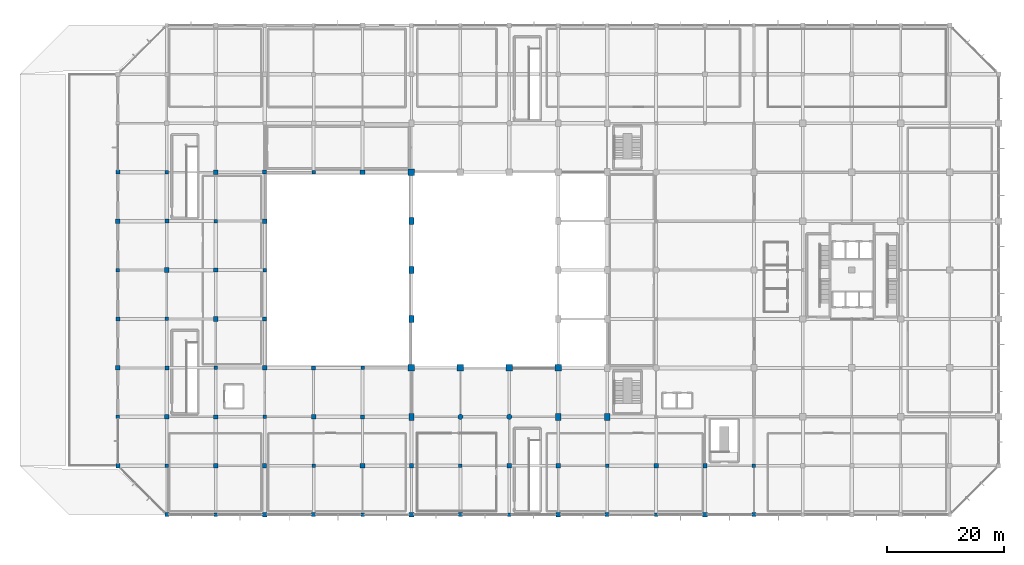
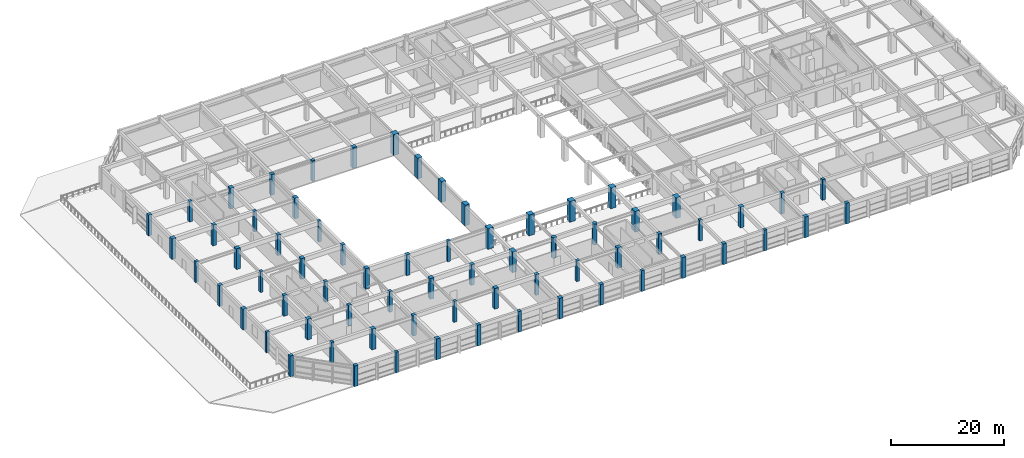
# One storey, part 1 of 56: 70 columns.
"""IFC4 building model written with IfcOpenShell, lengths in metres."""

from ifc_helpers import new_model, si_unit, direction, frame, origin, origin_2d, place, context, subcontext, project, spatial, rectangle, circle, extrude, material, material_profile, profile_set, type_object, element, save


model = new_model("IFC4")

# Units and contexts
model_context = context("Model", 3, precision=1e-05, world=origin(), true_north=direction((0.0, 1.0)))
body_context = subcontext(model_context, "Body", "Model", "MODEL_VIEW")
ifc_project = project(units=[si_unit("LENGTHUNIT", "METRE"), si_unit("AREAUNIT", "SQUARE_METRE"), si_unit("VOLUMEUNIT", "CUBIC_METRE"), si_unit("PLANEANGLEUNIT", "RADIAN"), si_unit("MASSUNIT", "GRAM", prefix="KILO")], contexts=[model_context])

# Site, building, storey
site_placement = place(None, origin())
site = spatial("IfcSite", under=ifc_project, at=site_placement, CompositionType="ELEMENT")
building_placement = place(site_placement, origin())
building = spatial("IfcBuilding", under=site, at=building_placement, Name="Xuanlan Plaza Opera House", CompositionType="ELEMENT")
storey_placement = place(building_placement, frame((0.0, 0.0, 18.89990234375)))
storey = spatial("IfcBuildingStorey", under=building, at=storey_placement, Name="L04", CompositionType="ELEMENT", Elevation=18.89990234375)

# Columns
ifc_material_1 = material(Name="Concrete C50", Category="concrete")
ifc_material_profile_1 = material_profile(ifc_material_1, rectangle(XDim=1.10009765625, YDim=1.10009765625, at=origin_2d()), Name="RC-COL 1100x1100")
ifc_profile_set_1 = profile_set([ifc_material_profile_1], Name="Concrete C50")
column_type_1 = type_object("IfcColumnType", Name="STR-COL-C-03", PredefinedType="COLUMN", material=ifc_profile_set_1)
for number, where, z_axis, x_axis, name in (
    (1, (67.199951171875, 42.0, 0.0), (0.0, 0.0, 1.0), (1.0, 0.0, 0.0), "Column L04 9-F"),
    (2, (67.199951171875, 75.60009765625, 0.0), (0.0, 0.0, 1.0), (1.0, 0.0, 0.0), "Column L04 9-J"),
    (3, (75.60009765625, 42.0, 0.0), (0.0, 0.0, 1.0), (1.0, 0.0, 0.0), "Column L04 10-F"),
    (4, (84.0, 42.0, 0.0), (0.0, 0.0, 1.0), (1.0, 0.0, 0.0), "Column L04 11-F"),
    (5, (92.39990234375, 42.0, 0.0), (0.0, 0.0, 1.0), (1.0, 0.0, 0.0), "Column L04 12-F"),
):
    element("IfcColumn", number, at=place(storey_placement, frame(where, z_axis=z_axis, x_axis=x_axis)), inside=storey, type_object=column_type_1, Name=name, PredefinedType="COLUMN", context=body_context, shape_type="SweptSolid", body=[
        extrude(rectangle(XDim=1.10009765625, YDim=1.10009765625, at=origin_2d()), origin(), (0.0, 0.0, 1.0), 4.5),
    ])
ifc_material_2 = material(Name="Concrete C40", Category="concrete")
ifc_material_profile_2 = material_profile(ifc_material_2, rectangle(XDim=0.800048828125, YDim=0.800048828125, at=origin_2d()), Name="RC-COL 800x800")
ifc_profile_set_2 = profile_set([ifc_material_profile_2], Name="Concrete C40")
column_type_2 = type_object("IfcColumnType", Name="STR-COL-C-06", PredefinedType="COLUMN", material=ifc_profile_set_2)
for number, where, z_axis, x_axis, name in (
    (6, (16.800048828125, 42.0, 0.0), (0.0, 0.0, 1.0), (1.0, 0.0, 0.0), "Column L04 3-F"),
    (7, (16.800048828125, 67.199951171875, 0.0), (0.0, 0.0, 1.0), (1.0, 0.0, 0.0), "Column L04 3-I"),
    (8, (25.199951171875, 33.60009765625, 0.0), (0.0, 0.0, 1.0), (1.0, 0.0, 0.0), "Column L04 4-E"),
    (9, (25.199951171875, 58.800048828125, 0.0), (0.0, 0.0, 1.0), (1.0, 0.0, 0.0), "Column L04 4-H"),
    (10, (33.60009765625, 25.199951171875, 0.0), (0.0, 0.0, 1.0), (1.0, 0.0, 0.0), "Column L04 5-D"),
    (11, (33.60009765625, 50.39990234375, 0.0), (0.0, 0.0, 1.0), (1.0, 0.0, 0.0), "Column L04 5-G"),
    (12, (33.60009765625, 75.60009765625, 0.0), (0.0, 0.0, 1.0), (1.0, 0.0, 0.0), "Column L04 5-J"),
    (13, (42.0, 16.800048828125, 0.0), (0.0, 0.0, 1.0), (1.0, 0.0, 0.0), "Column L04 6-C"),
    (14, (42.0, 42.0, 0.0), (0.0, 0.0, 1.0), (1.0, 0.0, 0.0), "Column L04 6-F"),
    (15, (42.0, 67.199951171875, 0.0), (0.0, 0.0, 1.0), (1.0, 0.0, 0.0), "Column L04 6-I"),
    (16, (50.39990234375, 33.60009765625, 0.0), (0.0, 0.0, 1.0), (1.0, 0.0, 0.0), "Column L04 7-E"),
    (17, (58.800048828125, 25.199951171875, 0.0), (0.0, 0.0, 1.0), (1.0, 0.0, 0.0), "Column L04 8-D"),
    (18, (58.800048828125, 75.60009765625, 0.0), (0.0, 0.0, 1.0), (1.0, 0.0, 0.0), "Column L04 8-J"),
    (19, (67.199951171875, 16.800048828125, 0.0), (0.0, 0.0, 1.0), (1.0, 0.0, 0.0), "Column L04 9-C"),
    (20, (84.0, 25.199951171875, 0.0), (0.0, 0.0, 1.0), (1.0, 0.0, 0.0), "Column L04 11-D"),
    (21, (92.39990234375, 16.800048828125, 0.0), (0.0, 0.0, 1.0), (1.0, 0.0, 0.0), "Column L04 12-C"),
    (22, (109.199951171875, 25.199951171875, 0.0), (0.0, 0.0, 1.0), (1.0, 0.0, 0.0), "Column L04 14-D"),
    (23, (117.60009765625, 16.800048828125, 0.0), (0.0, 0.0, 1.0), (1.0, 0.0, 0.0), "Column L04 15-C"),
):
    element("IfcColumn", number, at=place(storey_placement, frame(where, z_axis=z_axis, x_axis=x_axis)), inside=storey, type_object=column_type_2, Name=name, PredefinedType="COLUMN", context=body_context, shape_type="SweptSolid", body=[
        extrude(rectangle(XDim=0.800048828125, YDim=0.800048828125, at=origin_2d()), origin(), (0.0, 0.0, 1.0), 4.5),
    ])
ifc_material_profile_3 = material_profile(ifc_material_2, rectangle(XDim=0.699951171875, YDim=0.699951171875, at=origin_2d()), Name="RC-COL 700x700")
ifc_profile_set_3 = profile_set([ifc_material_profile_3], Name="Concrete C40")
column_type_3 = type_object("IfcColumnType", Name="STR-COL-C-07", PredefinedType="COLUMN", material=ifc_profile_set_3)
for number, where, z_axis, x_axis, name in (
    (24, (16.800048828125, 25.199951171875, 0.0), (0.0, 0.0, 1.0), (1.0, 0.0, 0.0), "Column L04 3-D"),
    (25, (16.800048828125, 50.39990234375, 0.0), (0.0, 0.0, 1.0), (1.0, 0.0, 0.0), "Column L04 3-G"),
    (26, (16.800048828125, 75.60009765625, 0.0), (0.0, 0.0, 1.0), (1.0, 0.0, 0.0), "Column L04 3-J"),
    (27, (25.199951171875, 16.800048828125, 0.0), (0.0, 0.0, 1.0), (1.0, 0.0, 0.0), "Column L04 4-C"),
    (28, (25.199951171875, 42.0, 0.0), (0.0, 0.0, 1.0), (1.0, 0.0, 0.0), "Column L04 4-F"),
    (29, (25.199951171875, 67.199951171875, 0.0), (0.0, 0.0, 1.0), (1.0, 0.0, 0.0), "Column L04 4-I"),
    (30, (33.60009765625, 33.60009765625, 0.0), (0.0, 0.0, 1.0), (1.0, 0.0, 0.0), "Column L04 5-E"),
    (31, (33.60009765625, 58.800048828125, 0.0), (0.0, 0.0, 1.0), (1.0, 0.0, 0.0), "Column L04 5-H"),
    (32, (42.0, 25.199951171875, 0.0), (0.0, 0.0, 1.0), (1.0, 0.0, 0.0), "Column L04 6-D"),
    (33, (42.0, 50.39990234375, 0.0), (0.0, 0.0, 1.0), (1.0, 0.0, 0.0), "Column L04 6-G"),
    (34, (42.0, 75.60009765625, 0.0), (0.0, 0.0, 1.0), (1.0, 0.0, 0.0), "Column L04 6-J"),
    (35, (50.39990234375, 16.800048828125, 0.0), (0.0, 0.0, 1.0), (1.0, 0.0, 0.0), "Column L04 7-C"),
    (36, (50.39990234375, 42.0, 0.0), (0.0, 0.0, 1.0), (1.0, 0.0, 0.0), "Column L04 7-F"),
    (37, (58.800048828125, 33.60009765625, 0.0), (0.0, 0.0, 1.0), (1.0, 0.0, 0.0), "Column L04 8-E"),
    (38, (67.199951171875, 25.199951171875, 0.0), (0.0, 0.0, 1.0), (1.0, 0.0, 0.0), "Column L04 9-D"),
    (39, (75.60009765625, 16.800048828125, 0.0), (0.0, 0.0, 1.0), (1.0, 0.0, 0.0), "Column L04 10-C"),
    (40, (92.39990234375, 25.199951171875, 0.0), (0.0, 0.0, 1.0), (1.0, 0.0, 0.0), "Column L04 12-D"),
    (41, (100.800048828125, 16.800048828125, 0.0), (0.0, 0.0, 1.0), (1.0, 0.0, 0.0), "Column L04 13-C"),
    (42, (117.60009765625, 25.199951171875, 0.0), (0.0, 0.0, 1.0), (1.0, 0.0, 0.0), "Column L04 15-D"),
    (43, (126.0, 16.800048828125, 0.0), (0.0, 0.0, 1.0), (1.0, 0.0, 0.0), "Column L04 16-C"),
):
    element("IfcColumn", number, at=place(storey_placement, frame(where, z_axis=z_axis, x_axis=x_axis)), inside=storey, type_object=column_type_3, Name=name, PredefinedType="COLUMN", context=body_context, shape_type="SweptSolid", body=[
        extrude(rectangle(XDim=0.699951171875, YDim=0.699951171875, at=origin_2d()), origin(), (0.0, 0.0, 1.0), 4.5),
    ])
ifc_material_profile_4 = material_profile(ifc_material_2, rectangle(XDim=0.60009765625, YDim=0.60009765625, at=origin_2d()), Name="RC-COL 600x600")
ifc_profile_set_4 = profile_set([ifc_material_profile_4], Name="Concrete C40")
column_type_4 = type_object("IfcColumnType", Name="STR-COL-C-08", PredefinedType="COLUMN", material=ifc_profile_set_4)
for number, where, z_axis, x_axis, name in (
    (44, (16.800048828125, 33.60009765625, 0.0), (0.0, 0.0, 1.0), (1.0, 0.0, 0.0), "Column L04 3-E"),
    (45, (16.800048828125, 58.800048828125, 0.0), (0.0, 0.0, 1.0), (1.0, 0.0, 0.0), "Column L04 3-H"),
    (46, (25.199951171875, 25.199951171875, 0.0), (0.0, 0.0, 1.0), (1.0, 0.0, 0.0), "Column L04 4-D"),
    (47, (25.199951171875, 50.39990234375, 0.0), (0.0, 0.0, 1.0), (1.0, 0.0, 0.0), "Column L04 4-G"),
    (48, (25.199951171875, 75.60009765625, 0.0), (0.0, 0.0, 1.0), (1.0, 0.0, 0.0), "Column L04 4-J"),
    (49, (33.60009765625, 16.800048828125, 0.0), (0.0, 0.0, 1.0), (1.0, 0.0, 0.0), "Column L04 5-C"),
    (50, (33.60009765625, 42.0, 0.0), (0.0, 0.0, 1.0), (1.0, 0.0, 0.0), "Column L04 5-F"),
    (51, (33.60009765625, 67.199951171875, 0.0), (0.0, 0.0, 1.0), (1.0, 0.0, 0.0), "Column L04 5-I"),
    (52, (42.0, 33.60009765625, 0.0), (0.0, 0.0, 1.0), (1.0, 0.0, 0.0), "Column L04 6-E"),
    (53, (42.0, 58.800048828125, 0.0), (0.0, 0.0, 1.0), (1.0, 0.0, 0.0), "Column L04 6-H"),
    (54, (50.39990234375, 25.199951171875, 0.0), (0.0, 0.0, 1.0), (1.0, 0.0, 0.0), "Column L04 7-D"),
    (55, (50.39990234375, 75.60009765625, 0.0), (0.0, 0.0, 1.0), (1.0, 0.0, 0.0), "Column L04 7-J"),
    (56, (58.800048828125, 16.800048828125, 0.0), (0.0, 0.0, 1.0), (1.0, 0.0, 0.0), "Column L04 8-C"),
    (57, (58.800048828125, 42.0, 0.0), (0.0, 0.0, 1.0), (1.0, 0.0, 0.0), "Column L04 8-F"),
    (58, (75.60009765625, 25.199951171875, 0.0), (0.0, 0.0, 1.0), (1.0, 0.0, 0.0), "Column L04 10-D"),
    (59, (84.0, 16.800048828125, 0.0), (0.0, 0.0, 1.0), (1.0, 0.0, 0.0), "Column L04 11-C"),
    (60, (100.800048828125, 25.199951171875, 0.0), (0.0, 0.0, 1.0), (1.0, 0.0, 0.0), "Column L04 13-D"),
    (61, (109.199951171875, 16.800048828125, 0.0), (0.0, 0.0, 1.0), (1.0, 0.0, 0.0), "Column L04 14-C"),
    (62, (126.0, 25.199951171875, 0.0), (0.0, 0.0, 1.0), (1.0, 0.0, 0.0), "Column L04 16-D"),
):
    element("IfcColumn", number, at=place(storey_placement, frame(where, z_axis=z_axis, x_axis=x_axis)), inside=storey, type_object=column_type_4, Name=name, PredefinedType="COLUMN", context=body_context, shape_type="SweptSolid", body=[
        extrude(rectangle(XDim=0.60009765625, YDim=0.60009765625, at=origin_2d()), origin(), (0.0, 0.0, 1.0), 4.5),
    ])
ifc_material_profile_5 = material_profile(ifc_material_1, rectangle(XDim=0.89990234375, YDim=1.199951171875, at=origin_2d()), Name="RC-COL 900x1200")
ifc_profile_set_5 = profile_set([ifc_material_profile_5], Name="Concrete C50")
column_type_5 = type_object("IfcColumnType", Name="STR-COL-C-10", PredefinedType="COLUMN", material=ifc_profile_set_5)
for number, where, z_axis, x_axis, name in (
    (63, (67.199951171875, 33.60009765625, 0.0), (0.0, 0.0, 1.0), (1.0, 0.0, 0.0), "Column L04 9-E"),
    (64, (67.199951171875, 50.39990234375, 0.0), (0.0, 0.0, 1.0), (1.0, 0.0, 0.0), "Column L04 9-G"),
    (65, (67.199951171875, 58.800048828125, 0.0), (0.0, 0.0, 1.0), (1.0, 0.0, 0.0), "Column L04 9-H"),
    (66, (67.199951171875, 67.199951171875, 0.0), (0.0, 0.0, 1.0), (1.0, 0.0, 0.0), "Column L04 9-I"),
    (67, (92.39990234375, 33.60009765625, 0.0), (0.0, 0.0, 1.0), (1.0, 0.0, 0.0), "Column L04 12-E"),
    (68, (100.800048828125, 33.60009765625, 0.0), (0.0, 0.0, 1.0), (1.0, 0.0, 0.0), "Column L04 13-E"),
):
    element("IfcColumn", number, at=place(storey_placement, frame(where, z_axis=z_axis, x_axis=x_axis)), inside=storey, type_object=column_type_5, Name=name, PredefinedType="COLUMN", context=body_context, shape_type="SweptSolid", body=[
        extrude(rectangle(XDim=0.89990234375, YDim=1.199951171875, at=origin_2d()), origin(), (0.0, 0.0, 1.0), 4.5),
    ])
ifc_material_profile_6 = material_profile(ifc_material_2, circle(Radius=0.449951171875, at=origin_2d()), Name="RC-COL D900")
ifc_profile_set_6 = profile_set([ifc_material_profile_6], Name="Concrete C40")
column_type_6 = type_object("IfcColumnType", Name="STR-COL-C-12", PredefinedType="COLUMN", material=ifc_profile_set_6)
for number, where, z_axis, x_axis, name in (
    (69, (75.60009765625, 33.60009765625, 0.0), (0.0, 0.0, 1.0), (1.0, 0.0, 0.0), "Column L04 10-E"),
    (70, (84.0, 33.60009765625, 0.0), (0.0, 0.0, 1.0), (1.0, 0.0, 0.0), "Column L04 11-E"),
):
    element("IfcColumn", number, at=place(storey_placement, frame(where, z_axis=z_axis, x_axis=x_axis)), inside=storey, type_object=column_type_6, Name=name, PredefinedType="COLUMN", context=body_context, shape_type="SweptSolid", body=[
        extrude(circle(Radius=0.449951171875, at=origin_2d()), origin(), (0.0, 0.0, 1.0), 4.5),
    ])

save(model, "model.ifc")
